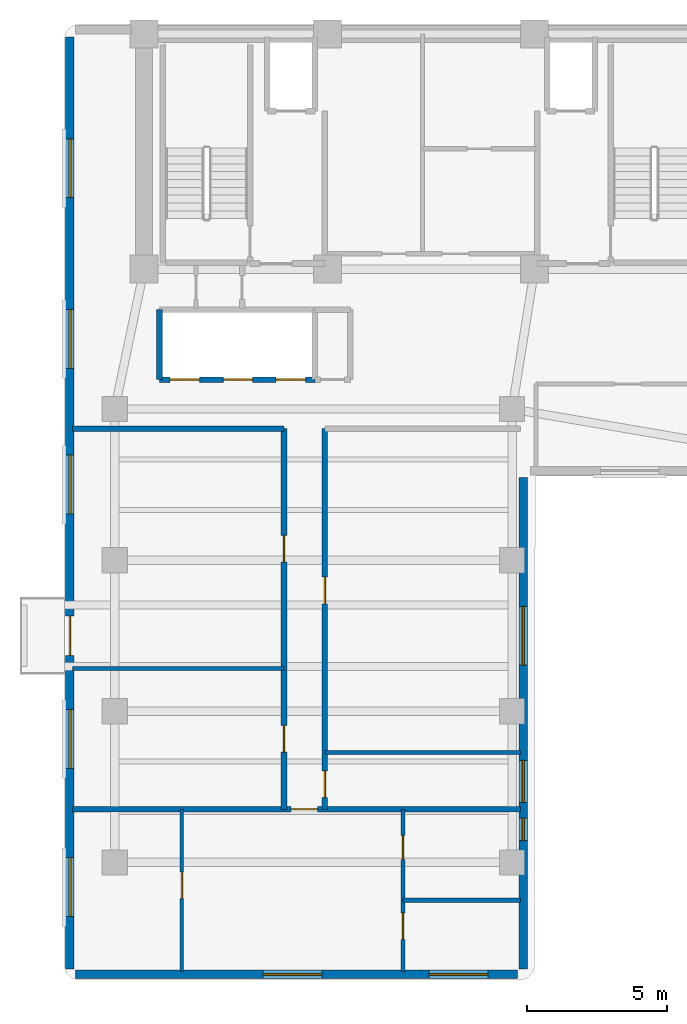
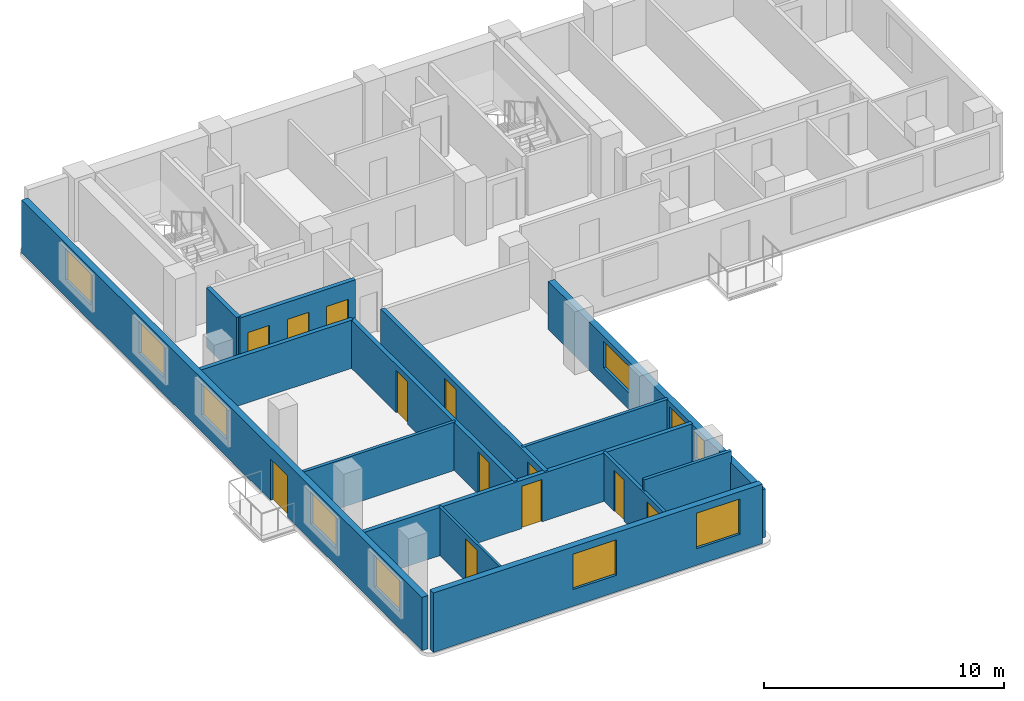
# One storey, part 2 of 7: 14 walls, 12 doors, 10 windows, 22 openings.
"""IFC4 building model written with IfcOpenShell, lengths in metres."""

from ifc_helpers import new_model, si_unit, direction, frame, frame_2d, origin, place, context, subcontext, project, spatial, rectangle, extrude, material, layer, layer_set, type_object, element, fill, save


model = new_model("IFC4")

# Units and contexts
model_context = context("Model", 3, precision=1e-05, world=origin(), true_north=direction((0.0, 1.0)))
body_context = subcontext(model_context, "Body", "Model", "MODEL_VIEW")
ifc_project = project(units=[si_unit("LENGTHUNIT", "METRE"), si_unit("AREAUNIT", "SQUARE_METRE"), si_unit("VOLUMEUNIT", "CUBIC_METRE"), si_unit("PLANEANGLEUNIT", "RADIAN"), si_unit("MASSUNIT", "GRAM", prefix="KILO")], contexts=[model_context])

# Site, building, storey
site_placement = place(None, origin())
site = spatial("IfcSite", under=ifc_project, at=site_placement, CompositionType="ELEMENT")
building_placement = place(site_placement, origin())
building = spatial("IfcBuilding", under=site, at=building_placement, Name="Kuzgunbayir Cultural Tower", CompositionType="ELEMENT")
storey_placement = place(building_placement, frame((0.0, 0.0, 172.800048828125)))
storey = spatial("IfcBuildingStorey", under=building, at=storey_placement, Name="L50", CompositionType="ELEMENT", Elevation=172.800048828125)

# Wall, openings, windows
ifc_material_1 = material(Name="Anatolian Cream Limestone", Category="masonry")
ifc_layer_1 = layer(ifc_material_1, 0.300048828125)
ifc_layer_set_1 = layer_set([ifc_layer_1], Name="Anatolian Cream Limestone")
wall_type_1 = type_object("IfcWallType", Name="WAL-EXT-STONE-300", PredefinedType="STANDARD", material=ifc_layer_set_1)
wall_1_placement = place(storey_placement, frame((4.0, 8.60009765625, 0.0), z_axis=(0.0, 0.0, 1.0), x_axis=(1.0, 0.0, 0.0)))
wall_1 = element("IfcWall", 1, at=wall_1_placement, inside=storey, type_object=wall_type_1, Name="L50 Wing A South Limestone Wall", PredefinedType="STANDARD", context=body_context, shape_type="SweptSolid", body=[
    extrude(rectangle(XDim=15.800048828125, YDim=0.300048828125, at=frame_2d((7.89990234375, 0.0))), origin(), (0.0, 0.0, 1.0), 3.02001953125),
])
opening_1_placement = place(wall_1_placement, frame((6.699951171875, 0.0, 0.85009765625)))
opening_1 = element("IfcOpeningElement", 2, at=opening_1_placement, cuts=wall_1, Name="Opening WR-21", PredefinedType="OPENING", context=body_context, shape_type="SweptSolid", body=[
    extrude(rectangle(XDim=2.10009765625, YDim=1.800048828125, at=frame_2d((1.050048828125, 0.89990234375))), frame((0.0, 0.16015625, 0.0), z_axis=(0.0, -1.0, 0.0), x_axis=(1.0, 0.0, 0.0)), (0.0, 0.0, 1.0), 0.320068359375),
])
opening_2_placement = place(wall_1_placement, frame((12.6298828125, 0.0, 0.85009765625)))
opening_2 = element("IfcOpeningElement", 3, at=opening_2_placement, cuts=wall_1, Name="Opening WR-21", PredefinedType="OPENING", context=body_context, shape_type="SweptSolid", body=[
    extrude(rectangle(XDim=2.10009765625, YDim=1.800048828125, at=frame_2d((1.050048828125, 0.89990234375))), frame((0.0, 0.16015625, 0.0), z_axis=(0.0, -1.0, 0.0), x_axis=(1.0, 0.0, 0.0)), (0.0, 0.0, 1.0), 0.320068359375),
])
ifc_material_2 = material(Name="Solar-Control Triple Glazing", Category="glass")
window_type_1 = type_object("IfcWindowType", Name="WIN-RESID-21", PartitioningType="SINGLE_PANEL", PredefinedType="WINDOW", material=ifc_material_2)
window_1_placement = place(opening_1_placement, origin())
window_1 = element("IfcWindow", 4, at=window_1_placement, inside=storey, type_object=window_type_1, Name="L50 WAS Facade Window 3", OverallHeight=1.800048828125, OverallWidth=2.10009765625, PartitioningType="SINGLE_PANEL", PredefinedType="WINDOW", context=body_context, shape_type="SweptSolid", body=[
    extrude(rectangle(XDim=2.10009765625, YDim=1.800048828125, at=frame_2d((1.050048828125, 0.89990234375))), frame((0.0, 0.030029296875, 0.0), z_axis=(0.0, -1.0, 0.0), x_axis=(1.0, 0.0, 0.0)), (0.0, 0.0, 1.0), 0.06005859375),
])
fill(opening_1, window_1)
window_2_placement = place(opening_2_placement, origin())
window_2 = element("IfcWindow", 5, at=window_2_placement, inside=storey, type_object=window_type_1, Name="L50 WAS Facade Window 4", OverallHeight=1.800048828125, OverallWidth=2.10009765625, PartitioningType="SINGLE_PANEL", PredefinedType="WINDOW", context=body_context, shape_type="SweptSolid", body=[
    extrude(rectangle(XDim=2.10009765625, YDim=1.800048828125, at=frame_2d((1.050048828125, 0.89990234375))), frame((0.0, 0.030029296875, 0.0), z_axis=(0.0, -1.0, 0.0), x_axis=(1.0, 0.0, 0.0)), (0.0, 0.0, 1.0), 0.06005859375),
])
fill(opening_2, window_2)

# Wall, openings, door, windows
wall_2_placement = place(storey_placement, frame((3.800048828125, 42.10009765625, 0.0), z_axis=(0.0, 0.0, 1.0), x_axis=(0.0, -1.0, 0.0)))
wall_2 = element("IfcWall", 6, at=wall_2_placement, inside=storey, type_object=wall_type_1, Name="L50 Wing A West Limestone Wall", PredefinedType="STANDARD", context=body_context, shape_type="SweptSolid", body=[
    extrude(rectangle(XDim=33.300048828125, YDim=0.300048828125, at=frame_2d((16.64990234375, 0.0))), origin(), (0.0, 0.0, 1.0), 2.7099609375),
])
opening_3_placement = place(wall_2_placement, frame((20.699951171875, 0.0, 0.0)))
opening_3 = element("IfcOpeningElement", 7, at=opening_3_placement, cuts=wall_2, Name="Opening BD-15", PredefinedType="OPENING", context=body_context, shape_type="SweptSolid", body=[
    extrude(rectangle(XDim=1.39990234375, YDim=2.10009765625, at=frame_2d((0.699951171875, 1.050048828125))), frame((0.0, 0.16015625, 0.0), z_axis=(0.0, -1.0, 0.0), x_axis=(1.0, 0.0, 0.0)), (0.0, 0.0, 1.0), 0.320068359375),
])
opening_4_placement = place(wall_2_placement, frame((29.330078125, 0.0, 0.85009765625)))
opening_4 = element("IfcOpeningElement", 8, at=opening_4_placement, cuts=wall_2, Name="Opening WR-21", PredefinedType="OPENING", context=body_context, shape_type="SweptSolid", body=[
    extrude(rectangle(XDim=2.10009765625, YDim=1.610107421875, at=frame_2d((1.050048828125, 0.80517578125))), frame((0.0, 0.16015625, 0.0), z_axis=(0.0, -1.0, 0.0), x_axis=(1.0, 0.0, 0.0)), (0.0, 0.0, 1.0), 0.320068359375),
])
opening_5_placement = place(wall_2_placement, frame((24.0400390625, 0.0, 0.85009765625)))
opening_5 = element("IfcOpeningElement", 9, at=opening_5_placement, cuts=wall_2, Name="Opening WR-21", PredefinedType="OPENING", context=body_context, shape_type="SweptSolid", body=[
    extrude(rectangle(XDim=2.10009765625, YDim=1.610107421875, at=frame_2d((1.050048828125, 0.80517578125))), frame((0.0, 0.16015625, 0.0), z_axis=(0.0, -1.0, 0.0), x_axis=(1.0, 0.0, 0.0)), (0.0, 0.0, 1.0), 0.320068359375),
])
opening_6_placement = place(wall_2_placement, frame((14.949951171875, 0.0, 0.85009765625)))
opening_6 = element("IfcOpeningElement", 10, at=opening_6_placement, cuts=wall_2, Name="Opening WR-21", PredefinedType="OPENING", context=body_context, shape_type="SweptSolid", body=[
    extrude(rectangle(XDim=2.10009765625, YDim=1.610107421875, at=frame_2d((1.050048828125, 0.80517578125))), frame((0.0, 0.16015625, 0.0), z_axis=(0.0, -1.0, 0.0), x_axis=(1.0, 0.0, 0.0)), (0.0, 0.0, 1.0), 0.320068359375),
])
opening_7_placement = place(wall_2_placement, frame((9.75, 0.0, 0.85009765625)))
opening_7 = element("IfcOpeningElement", 11, at=opening_7_placement, cuts=wall_2, Name="Opening WR-21", PredefinedType="OPENING", context=body_context, shape_type="SweptSolid", body=[
    extrude(rectangle(XDim=2.10009765625, YDim=1.610107421875, at=frame_2d((1.050048828125, 0.80517578125))), frame((0.0, 0.16015625, 0.0), z_axis=(0.0, -1.0, 0.0), x_axis=(1.0, 0.0, 0.0)), (0.0, 0.0, 1.0), 0.320068359375),
])
opening_8_placement = place(wall_2_placement, frame((3.64990234375, 0.0, 0.85009765625)))
opening_8 = element("IfcOpeningElement", 12, at=opening_8_placement, cuts=wall_2, Name="Opening WR-21", PredefinedType="OPENING", context=body_context, shape_type="SweptSolid", body=[
    extrude(rectangle(XDim=2.10009765625, YDim=1.610107421875, at=frame_2d((1.050048828125, 0.80517578125))), frame((0.0, 0.16015625, 0.0), z_axis=(0.0, -1.0, 0.0), x_axis=(1.0, 0.0, 0.0)), (0.0, 0.0, 1.0), 0.320068359375),
])
ifc_material_3 = material(Name="Thermally Broken Glazed Aluminium", Category="aluminium")
door_type_1 = type_object("IfcDoorType", Name="DR-BALCONY-150", OperationType="SLIDING_TO_RIGHT", PredefinedType="DOOR", material=ifc_material_3)
door_1_placement = place(opening_3_placement, origin())
door_1 = element("IfcDoor", 13, at=door_1_placement, inside=storey, type_object=door_type_1, Name="L50 West Balcony Sliding Door BAL-L50-WA2", OperationType="SLIDING_TO_RIGHT", OverallHeight=2.10009765625, OverallWidth=1.39990234375, PredefinedType="DOOR", context=body_context, shape_type="SweptSolid", body=[
    extrude(rectangle(XDim=1.39990234375, YDim=2.10009765625, at=frame_2d((0.699951171875, 1.050048828125))), frame((0.0, 0.02490234375, 0.0), z_axis=(0.0, -1.0, 0.0), x_axis=(1.0, 0.0, 0.0)), (0.0, 0.0, 1.0), 0.050048828125),
])
fill(opening_3, door_1)
window_3_placement = place(opening_4_placement, origin())
window_3 = element("IfcWindow", 14, at=window_3_placement, inside=storey, type_object=window_type_1, Name="L50 WAW Facade Window 2", OverallHeight=1.610107421875, OverallWidth=2.10009765625, PartitioningType="SINGLE_PANEL", PredefinedType="WINDOW", context=body_context, shape_type="SweptSolid", body=[
    extrude(rectangle(XDim=2.10009765625, YDim=1.610107421875, at=frame_2d((1.050048828125, 0.80517578125))), frame((0.0, 0.030029296875, 0.0), z_axis=(0.0, -1.0, 0.0), x_axis=(1.0, 0.0, 0.0)), (0.0, 0.0, 1.0), 0.06005859375),
])
fill(opening_4, window_3)
window_4_placement = place(opening_5_placement, origin())
window_4 = element("IfcWindow", 15, at=window_4_placement, inside=storey, type_object=window_type_1, Name="L50 WAW Facade Window 6", OverallHeight=1.610107421875, OverallWidth=2.10009765625, PartitioningType="SINGLE_PANEL", PredefinedType="WINDOW", context=body_context, shape_type="SweptSolid", body=[
    extrude(rectangle(XDim=2.10009765625, YDim=1.610107421875, at=frame_2d((1.050048828125, 0.80517578125))), frame((0.0, 0.030029296875, 0.0), z_axis=(0.0, -1.0, 0.0), x_axis=(1.0, 0.0, 0.0)), (0.0, 0.0, 1.0), 0.06005859375),
])
fill(opening_5, window_4)
window_5_placement = place(opening_6_placement, origin())
window_5 = element("IfcWindow", 16, at=window_5_placement, inside=storey, type_object=window_type_1, Name="L50 WAW Facade Window 13", OverallHeight=1.610107421875, OverallWidth=2.10009765625, PartitioningType="SINGLE_PANEL", PredefinedType="WINDOW", context=body_context, shape_type="SweptSolid", body=[
    extrude(rectangle(XDim=2.10009765625, YDim=1.610107421875, at=frame_2d((1.050048828125, 0.80517578125))), frame((0.0, 0.030029296875, 0.0), z_axis=(0.0, -1.0, 0.0), x_axis=(1.0, 0.0, 0.0)), (0.0, 0.0, 1.0), 0.06005859375),
])
fill(opening_6, window_5)
window_6_placement = place(opening_7_placement, origin())
window_6 = element("IfcWindow", 17, at=window_6_placement, inside=storey, type_object=window_type_1, Name="L50 WAW Facade Window 14", OverallHeight=1.610107421875, OverallWidth=2.10009765625, PartitioningType="SINGLE_PANEL", PredefinedType="WINDOW", context=body_context, shape_type="SweptSolid", body=[
    extrude(rectangle(XDim=2.10009765625, YDim=1.610107421875, at=frame_2d((1.050048828125, 0.80517578125))), frame((0.0, 0.030029296875, 0.0), z_axis=(0.0, -1.0, 0.0), x_axis=(1.0, 0.0, 0.0)), (0.0, 0.0, 1.0), 0.06005859375),
])
fill(opening_7, window_6)
window_7_placement = place(opening_8_placement, origin())
window_7 = element("IfcWindow", 18, at=window_7_placement, inside=storey, type_object=window_type_1, Name="L50 WAW Facade Window 15", OverallHeight=1.610107421875, OverallWidth=2.10009765625, PartitioningType="SINGLE_PANEL", PredefinedType="WINDOW", context=body_context, shape_type="SweptSolid", body=[
    extrude(rectangle(XDim=2.10009765625, YDim=1.610107421875, at=frame_2d((1.050048828125, 0.80517578125))), frame((0.0, 0.030029296875, 0.0), z_axis=(0.0, -1.0, 0.0), x_axis=(1.0, 0.0, 0.0)), (0.0, 0.0, 1.0), 0.06005859375),
])
fill(opening_8, window_7)

# Wall, openings, windows
wall_3_placement = place(storey_placement, frame((20.0, 8.800048828125, 0.0), z_axis=(0.0, 0.0, 1.0), x_axis=(0.0, 1.0, 0.0)))
wall_3 = element("IfcWall", 19, at=wall_3_placement, inside=storey, type_object=wall_type_1, Name="L50 Wing A East Limestone Wall", PredefinedType="STANDARD", context=body_context, shape_type="SweptSolid", body=[
    extrude(rectangle(XDim=17.550048828125, YDim=0.300048828125, at=frame_2d((8.77490234375, 0.0))), origin(), (0.0, 0.0, 1.0), 2.449951171875),
])
opening_9_placement = place(wall_3_placement, frame((4.580078125, 0.0, 0.85009765625)))
opening_9 = element("IfcOpeningElement", 20, at=opening_9_placement, cuts=wall_3, Name="Opening WN-08", PredefinedType="OPENING", context=body_context, shape_type="SweptSolid", body=[
    extrude(rectangle(XDim=0.800048828125, YDim=1.35009765625, at=frame_2d((0.39990234375, 0.675048828125))), frame((0.0, 0.16015625, 0.0), z_axis=(0.0, -1.0, 0.0), x_axis=(1.0, 0.0, 0.0)), (0.0, 0.0, 1.0), 0.320068359375),
])
opening_10_placement = place(wall_3_placement, frame((5.949951171875, 0.0, 0.85009765625)))
opening_10 = element("IfcOpeningElement", 21, at=opening_10_placement, cuts=wall_3, Name="Opening WR-15", PredefinedType="OPENING", context=body_context, shape_type="SweptSolid", body=[
    extrude(rectangle(XDim=1.5, YDim=1.35009765625, at=frame_2d((0.75, 0.675048828125))), frame((0.0, 0.16015625, 0.0), z_axis=(0.0, -1.0, 0.0), x_axis=(1.0, 0.0, 0.0)), (0.0, 0.0, 1.0), 0.320068359375),
])
opening_11_placement = place(wall_3_placement, frame((10.85009765625, 0.0, 0.85009765625)))
opening_11 = element("IfcOpeningElement", 22, at=opening_11_placement, cuts=wall_3, Name="Opening WR-21", PredefinedType="OPENING", context=body_context, shape_type="SweptSolid", body=[
    extrude(rectangle(XDim=2.10009765625, YDim=1.35009765625, at=frame_2d((1.050048828125, 0.675048828125))), frame((0.0, 0.16015625, 0.0), z_axis=(0.0, -1.0, 0.0), x_axis=(1.0, 0.0, 0.0)), (0.0, 0.0, 1.0), 0.320068359375),
])
window_type_2 = type_object("IfcWindowType", Name="WIN-NARROW-80", PartitioningType="SINGLE_PANEL", PredefinedType="WINDOW", material=ifc_material_2)
window_8_placement = place(opening_9_placement, origin())
window_8 = element("IfcWindow", 23, at=window_8_placement, inside=storey, type_object=window_type_2, Name="L50 WAE Facade Window 5", OverallHeight=1.35009765625, OverallWidth=0.800048828125, PartitioningType="SINGLE_PANEL", PredefinedType="WINDOW", context=body_context, shape_type="SweptSolid", body=[
    extrude(rectangle(XDim=0.800048828125, YDim=1.35009765625, at=frame_2d((0.39990234375, 0.675048828125))), frame((0.0, 0.030029296875, 0.0), z_axis=(0.0, -1.0, 0.0), x_axis=(1.0, 0.0, 0.0)), (0.0, 0.0, 1.0), 0.06005859375),
])
fill(opening_9, window_8)
window_type_3 = type_object("IfcWindowType", Name="WIN-RESID-15", PartitioningType="SINGLE_PANEL", PredefinedType="WINDOW", material=ifc_material_2)
window_9_placement = place(opening_10_placement, origin())
window_9 = element("IfcWindow", 24, at=window_9_placement, inside=storey, type_object=window_type_3, Name="L50 WAE Facade Window 16", OverallHeight=1.35009765625, OverallWidth=1.5, PartitioningType="SINGLE_PANEL", PredefinedType="WINDOW", context=body_context, shape_type="SweptSolid", body=[
    extrude(rectangle(XDim=1.5, YDim=1.35009765625, at=frame_2d((0.75, 0.675048828125))), frame((0.0, 0.030029296875, 0.0), z_axis=(0.0, -1.0, 0.0), x_axis=(1.0, 0.0, 0.0)), (0.0, 0.0, 1.0), 0.06005859375),
])
fill(opening_10, window_9)
window_10_placement = place(opening_11_placement, origin())
window_10 = element("IfcWindow", 25, at=window_10_placement, inside=storey, type_object=window_type_1, Name="L50 WAE Facade Window 17", OverallHeight=1.35009765625, OverallWidth=2.10009765625, PartitioningType="SINGLE_PANEL", PredefinedType="WINDOW", context=body_context, shape_type="SweptSolid", body=[
    extrude(rectangle(XDim=2.10009765625, YDim=1.35009765625, at=frame_2d((1.050048828125, 0.675048828125))), frame((0.0, 0.030029296875, 0.0), z_axis=(0.0, -1.0, 0.0), x_axis=(1.0, 0.0, 0.0)), (0.0, 0.0, 1.0), 0.06005859375),
])
fill(opening_11, window_10)

# Wall
ifc_material_4 = material(Name="Acoustic Double-Stud Drywall", Category="gypsum")
ifc_layer_2 = layer(ifc_material_4, 0.14990234375)
ifc_layer_set_2 = layer_set([ifc_layer_2], Name="Acoustic Double-Stud Drywall")
wall_type_2 = type_object("IfcWallType", Name="WAL-PART-ACOUSTIC-150", PredefinedType="PARTITIONING", material=ifc_layer_set_2)
wall_4_placement = place(storey_placement, frame((3.89990234375, 19.530029296875, 0.0), z_axis=(0.0, 0.0, 1.0), x_axis=(1.0, 0.0, 0.0)))
element("IfcWall", 26, at=wall_4_placement, inside=storey, type_object=wall_type_2, Name="L50 West Study Partition 1", PredefinedType="PARTITIONING", context=body_context, shape_type="SweptSolid", body=[
    extrude(rectangle(XDim=7.550048828125, YDim=0.14990234375, at=frame_2d((3.77490234375, 0.0))), origin(), (0.0, 0.0, 1.0), 2.449951171875),
])

# Wall, openings, doors
ifc_material_5 = material(Name="Aerated Concrete Blockwork", Category="masonry")
ifc_layer_3 = layer(ifc_material_5, 0.199951171875)
ifc_layer_set_3 = layer_set([ifc_layer_3], Name="Aerated Concrete Blockwork")
wall_type_3 = type_object("IfcWallType", Name="WAL-PART-FIRE-200", PredefinedType="PARTITIONING", material=ifc_layer_set_3)
wall_5_placement = place(storey_placement, frame((11.449951171875, 14.5, 0.0), z_axis=(0.0, 0.0, 1.0), x_axis=(0.0, 1.0, 0.0)))
wall_5 = element("IfcWall", 27, at=wall_5_placement, inside=storey, type_object=wall_type_3, Name="L50 Wing A West Corridor Wall", PredefinedType="PARTITIONING", context=body_context, shape_type="SweptSolid", body=[
    extrude(rectangle(XDim=13.60009765625, YDim=0.199951171875, at=frame_2d((6.800048828125, 0.0))), origin(), (0.0, 0.0, 1.0), 2.449951171875),
])
opening_12_placement = place(wall_5_placement, frame((2.0400390625, 0.0, 0.0)))
opening_12 = element("IfcOpeningElement", 28, at=opening_12_placement, cuts=wall_5, Name="Opening DI-90", PredefinedType="OPENING", context=body_context, shape_type="SweptSolid", body=[
    extrude(rectangle(XDim=0.949951171875, YDim=2.14990234375, at=frame_2d((0.47509765625, 1.074951171875))), frame((0.0, 0.10986328125, 0.0), z_axis=(0.0, -1.0, 0.0), x_axis=(1.0, 0.0, 0.0)), (0.0, 0.0, 1.0), 0.219970703125),
])
opening_13_placement = place(wall_5_placement, frame((8.840087890625, 0.0, 0.0)))
opening_13 = element("IfcOpeningElement", 29, at=opening_13_placement, cuts=wall_5, Name="Opening DI-90", PredefinedType="OPENING", context=body_context, shape_type="SweptSolid", body=[
    extrude(rectangle(XDim=0.949951171875, YDim=2.14990234375, at=frame_2d((0.47509765625, 1.074951171875))), frame((0.0, 0.10986328125, 0.0), z_axis=(0.0, -1.0, 0.0), x_axis=(1.0, 0.0, 0.0)), (0.0, 0.0, 1.0), 0.219970703125),
])
ifc_material_6 = material(Name="Veneered Oak Single Leaf", Category="wood")
door_type_2 = type_object("IfcDoorType", Name="DR-INT-90", OperationType="NOTDEFINED", PredefinedType="DOOR", material=ifc_material_6)
door_2_placement = place(opening_12_placement, origin())
door_2 = element("IfcDoor", 30, at=door_2_placement, inside=storey, type_object=door_type_2, Name="L50 Wellness Consultation Studio W1 Door", OperationType="SINGLE_SWING_LEFT", OverallHeight=2.14990234375, OverallWidth=0.949951171875, PredefinedType="DOOR", context=body_context, shape_type="SweptSolid", body=[
    extrude(rectangle(XDim=0.949951171875, YDim=2.14990234375, at=frame_2d((0.47509765625, 1.074951171875))), frame((0.0, 0.02490234375, 0.0), z_axis=(0.0, -1.0, 0.0), x_axis=(1.0, 0.0, 0.0)), (0.0, 0.0, 1.0), 0.050048828125),
])
fill(opening_12, door_2)
door_3_placement = place(opening_13_placement, origin())
door_3 = element("IfcDoor", 31, at=door_3_placement, inside=storey, type_object=door_type_2, Name="L50 Culinary Tasting Pantry W2 Door", OperationType="SINGLE_SWING_RIGHT", OverallHeight=2.14990234375, OverallWidth=0.949951171875, PredefinedType="DOOR", context=body_context, shape_type="SweptSolid", body=[
    extrude(rectangle(XDim=0.949951171875, YDim=2.14990234375, at=frame_2d((0.47509765625, 1.074951171875))), frame((0.0, 0.02490234375, 0.0), z_axis=(0.0, -1.0, 0.0), x_axis=(1.0, 0.0, 0.0)), (0.0, 0.0, 1.0), 0.050048828125),
])
fill(opening_13, door_3)

wall_6_placement = place(storey_placement, frame((12.909912109375, 14.5, 0.0), z_axis=(0.0, 0.0, 1.0), x_axis=(0.0, 1.0, 0.0)))
wall_6 = element("IfcWall", 32, at=wall_6_placement, inside=storey, type_object=wall_type_3, Name="L50 Wing A East Corridor Wall", PredefinedType="PARTITIONING", context=body_context, shape_type="SweptSolid", body=[
    extrude(rectangle(XDim=13.60009765625, YDim=0.199951171875, at=frame_2d((6.800048828125, 0.0))), origin(), (0.0, 0.0, 1.0), 2.449951171875),
])
opening_14_placement = place(wall_6_placement, frame((0.419921875, 0.0, 0.0)))
opening_14 = element("IfcOpeningElement", 33, at=opening_14_placement, cuts=wall_6, Name="Opening DW-95", PredefinedType="OPENING", context=body_context, shape_type="SweptSolid", body=[
    extrude(rectangle(XDim=0.949951171875, YDim=2.10009765625, at=frame_2d((0.47509765625, 1.050048828125))), frame((0.0, 0.10986328125, 0.0), z_axis=(0.0, -1.0, 0.0), x_axis=(1.0, 0.0, 0.0)), (0.0, 0.0, 1.0), 0.219970703125),
])
opening_15_placement = place(wall_6_placement, frame((7.340087890625, 0.0, 0.0)))
opening_15 = element("IfcOpeningElement", 34, at=opening_15_placement, cuts=wall_6, Name="Opening DI-90", PredefinedType="OPENING", context=body_context, shape_type="SweptSolid", body=[
    extrude(rectangle(XDim=0.949951171875, YDim=2.14990234375, at=frame_2d((0.47509765625, 1.074951171875))), frame((0.0, 0.10986328125, 0.0), z_axis=(0.0, -1.0, 0.0), x_axis=(1.0, 0.0, 0.0)), (0.0, 0.0, 1.0), 0.219970703125),
])
door_4_placement = place(opening_15_placement, origin())
door_4 = element("IfcDoor", 35, at=door_4_placement, inside=storey, type_object=door_type_2, Name="L50 East Wellness Consultation Studio E1 Door", OperationType="SINGLE_SWING_RIGHT", OverallHeight=2.14990234375, OverallWidth=0.949951171875, PredefinedType="DOOR", context=body_context, shape_type="SweptSolid", body=[
    extrude(rectangle(XDim=0.949951171875, YDim=2.14990234375, at=frame_2d((0.47509765625, 1.074951171875))), frame((0.0, 0.02490234375, 0.0), z_axis=(0.0, -1.0, 0.0), x_axis=(1.0, 0.0, 0.0)), (0.0, 0.0, 1.0), 0.050048828125),
])
fill(opening_15, door_4)
ifc_material_7 = material(Name="Laminate Moisture-Resistant Leaf", Category="wood")
door_type_3 = type_object("IfcDoorType", Name="DR-WET-95", OperationType="NOTDEFINED", PredefinedType="DOOR", material=ifc_material_7)
door_5_placement = place(opening_14_placement, origin())
door_5 = element("IfcDoor", 36, at=door_5_placement, inside=storey, type_object=door_type_3, Name="L50 Visitor Accessible WC Door", OperationType="SINGLE_SWING_LEFT", OverallHeight=2.10009765625, OverallWidth=0.949951171875, PredefinedType="DOOR", context=body_context, shape_type="SweptSolid", body=[
    extrude(rectangle(XDim=0.949951171875, YDim=2.10009765625, at=frame_2d((0.47509765625, 1.050048828125))), frame((0.0, 0.02490234375, 0.0), z_axis=(0.0, -1.0, 0.0), x_axis=(1.0, 0.0, 0.0)), (0.0, 0.0, 1.0), 0.050048828125),
])
fill(opening_14, door_5)

# Wall, opening, door
wall_7_placement = place(storey_placement, frame((3.89990234375, 14.5, 0.0), z_axis=(0.0, 0.0, 1.0), x_axis=(1.0, 0.0, 0.0)))
wall_7 = element("IfcWall", 37, at=wall_7_placement, inside=storey, type_object=wall_type_3, Name="L50 South Cross Partition", PredefinedType="PARTITIONING", context=body_context, shape_type="SweptSolid", body=[
    extrude(rectangle(XDim=16.0, YDim=0.199951171875, at=frame_2d((8.0, 0.0))), origin(), (0.0, 0.0, 1.0), 2.449951171875),
])
opening_16_placement = place(wall_7_placement, frame((7.800048828125, 0.0, 0.0)))
opening_16 = element("IfcOpeningElement", 38, at=opening_16_placement, cuts=wall_7, Name="Opening DR-APT-60", PredefinedType="OPENING", context=body_context, shape_type="SweptSolid", body=[
    extrude(rectangle(XDim=0.949951171875, YDim=2.14990234375, at=frame_2d((0.47509765625, 1.074951171875))), frame((0.0, 0.10986328125, 0.0), z_axis=(0.0, -1.0, 0.0), x_axis=(1.0, 0.0, 0.0)), (0.0, 0.0, 1.0), 0.219970703125),
])
ifc_material_8 = material(Name="Acoustic Fire Timber Leaf", Category="wood")
door_type_4 = type_object("IfcDoorType", Name="DR-APT-60", OperationType="NOTDEFINED", PredefinedType="DOOR", material=ifc_material_8)
door_6_placement = place(opening_16_placement, origin())
door_6 = element("IfcDoor", 39, at=door_6_placement, inside=storey, type_object=door_type_4, Name="L50 Apartment A Entrance", OperationType="SINGLE_SWING_LEFT", OverallHeight=2.14990234375, OverallWidth=0.949951171875, PredefinedType="DOOR", context=body_context, shape_type="SweptSolid", body=[
    extrude(rectangle(XDim=0.949951171875, YDim=2.14990234375, at=frame_2d((0.47509765625, 1.074951171875))), frame((0.0, 0.02490234375, 0.0), z_axis=(0.0, -1.0, 0.0), x_axis=(1.0, 0.0, 0.0)), (0.0, 0.0, 1.0), 0.050048828125),
])
fill(opening_16, door_6)

# Wall
wall_8_placement = place(storey_placement, frame((3.89990234375, 28.10009765625, 0.0), z_axis=(0.0, 0.0, 1.0), x_axis=(1.0, 0.0, 0.0)))
element("IfcWall", 40, at=wall_8_placement, inside=storey, type_object=wall_type_3, Name="L50 North West Partition", PredefinedType="PARTITIONING", context=body_context, shape_type="SweptSolid", body=[
    extrude(rectangle(XDim=7.550048828125, YDim=0.199951171875, at=frame_2d((3.77490234375, 0.0))), origin(), (0.0, 0.0, 1.0), 2.449951171875),
])

# Wall, opening, door
ifc_material_9 = material(Name="Framed Gypsum Partition", Category="gypsum")
ifc_layer_4 = layer(ifc_material_9, 0.1201171875)
ifc_layer_set_4 = layer_set([ifc_layer_4], Name="Framed Gypsum Partition")
wall_type_4 = type_object("IfcWallType", Name="WAL-PART-INT-120", PredefinedType="PARTITIONING", material=ifc_layer_set_4)
wall_9_placement = place(storey_placement, frame((7.800048828125, 8.699951171875, 0.0), z_axis=(0.0, 0.0, 1.0), x_axis=(0.0, 1.0, 0.0)))
wall_9 = element("IfcWall", 41, at=wall_9_placement, inside=storey, type_object=wall_type_4, Name="L50 Flat A West Bedroom Wall", PredefinedType="PARTITIONING", context=body_context, shape_type="SweptSolid", body=[
    extrude(rectangle(XDim=5.800048828125, YDim=0.1201171875, at=frame_2d((2.89990234375, 0.0))), origin(), (0.0, 0.0, 1.0), 2.449951171875),
])
opening_17_placement = place(wall_9_placement, frame((2.610107421875, 0.0, 0.0)))
opening_17 = element("IfcOpeningElement", 42, at=opening_17_placement, cuts=wall_9, Name="Opening DI-90", PredefinedType="OPENING", context=body_context, shape_type="SweptSolid", body=[
    extrude(rectangle(XDim=0.949951171875, YDim=2.14990234375, at=frame_2d((0.47509765625, 1.074951171875))), frame((0.0, 0.070068359375, 0.0), z_axis=(0.0, -1.0, 0.0), x_axis=(1.0, 0.0, 0.0)), (0.0, 0.0, 1.0), 0.14013671875),
])
door_7_placement = place(opening_17_placement, origin())
door_7 = element("IfcDoor", 43, at=door_7_placement, inside=storey, type_object=door_type_2, Name="L50 Apartment A Bedroom Door", OperationType="SINGLE_SWING_RIGHT", OverallHeight=2.14990234375, OverallWidth=0.949951171875, PredefinedType="DOOR", context=body_context, shape_type="SweptSolid", body=[
    extrude(rectangle(XDim=0.949951171875, YDim=2.14990234375, at=frame_2d((0.47509765625, 1.074951171875))), frame((0.0, 0.02490234375, 0.0), z_axis=(0.0, -1.0, 0.0), x_axis=(1.0, 0.0, 0.0)), (0.0, 0.0, 1.0), 0.050048828125),
])
fill(opening_17, door_7)

# Wall, openings, doors
ifc_material_10 = material(Name="Moisture-Resistant Tile Partition", Category="gypsum")
ifc_layer_5 = layer(ifc_material_10, 0.14990234375)
ifc_layer_set_5 = layer_set([ifc_layer_5], Name="Moisture-Resistant Tile Partition")
wall_type_5 = type_object("IfcWallType", Name="WAL-PART-WET-150", PredefinedType="PARTITIONING", material=ifc_layer_set_5)
wall_10_placement = place(storey_placement, frame((15.699951171875, 8.699951171875, 0.0), z_axis=(0.0, 0.0, 1.0), x_axis=(0.0, 1.0, 0.0)))
wall_10 = element("IfcWall", 44, at=wall_10_placement, inside=storey, type_object=wall_type_5, Name="L50 Flat A East Service Wall", PredefinedType="PARTITIONING", context=body_context, shape_type="SweptSolid", body=[
    extrude(rectangle(XDim=5.800048828125, YDim=0.14990234375, at=frame_2d((2.89990234375, 0.0))), origin(), (0.0, 0.0, 1.0), 2.449951171875),
])
opening_18_placement = place(wall_10_placement, frame((1.14990234375, 0.0, 0.0)))
opening_18 = element("IfcOpeningElement", 45, at=opening_18_placement, cuts=wall_10, Name="Opening DI-90", PredefinedType="OPENING", context=body_context, shape_type="SweptSolid", body=[
    extrude(rectangle(XDim=0.949951171875, YDim=2.14990234375, at=frame_2d((0.47509765625, 1.074951171875))), frame((0.0, 0.0849609375, 0.0), z_axis=(0.0, -1.0, 0.0), x_axis=(1.0, 0.0, 0.0)), (0.0, 0.0, 1.0), 0.169921875),
])
opening_19_placement = place(wall_10_placement, frame((4.010009765625, 0.0, 0.0)))
opening_19 = element("IfcOpeningElement", 46, at=opening_19_placement, cuts=wall_10, Name="Opening DW-85", PredefinedType="OPENING", context=body_context, shape_type="SweptSolid", body=[
    extrude(rectangle(XDim=0.85009765625, YDim=2.10009765625, at=frame_2d((0.425048828125, 1.050048828125))), frame((0.0, 0.0849609375, 0.0), z_axis=(0.0, -1.0, 0.0), x_axis=(1.0, 0.0, 0.0)), (0.0, 0.0, 1.0), 0.169921875),
])
door_8_placement = place(opening_18_placement, origin())
door_8 = element("IfcDoor", 47, at=door_8_placement, inside=storey, type_object=door_type_2, Name="L50 Apartment A Kitchen Door", OperationType="SINGLE_SWING_LEFT", OverallHeight=2.14990234375, OverallWidth=0.949951171875, PredefinedType="DOOR", context=body_context, shape_type="SweptSolid", body=[
    extrude(rectangle(XDim=0.949951171875, YDim=2.14990234375, at=frame_2d((0.47509765625, 1.074951171875))), frame((0.0, 0.02490234375, 0.0), z_axis=(0.0, -1.0, 0.0), x_axis=(1.0, 0.0, 0.0)), (0.0, 0.0, 1.0), 0.050048828125),
])
fill(opening_18, door_8)
door_type_5 = type_object("IfcDoorType", Name="DR-WET-85", OperationType="NOTDEFINED", PredefinedType="DOOR", material=ifc_material_7)
door_9_placement = place(opening_19_placement, origin())
door_9 = element("IfcDoor", 48, at=door_9_placement, inside=storey, type_object=door_type_5, Name="L50 Apartment A Bathroom Door", OperationType="SINGLE_SWING_RIGHT", OverallHeight=2.10009765625, OverallWidth=0.85009765625, PredefinedType="DOOR", context=body_context, shape_type="SweptSolid", body=[
    extrude(rectangle(XDim=0.85009765625, YDim=2.10009765625, at=frame_2d((0.425048828125, 1.050048828125))), frame((0.0, 0.02490234375, 0.0), z_axis=(0.0, -1.0, 0.0), x_axis=(1.0, 0.0, 0.0)), (0.0, 0.0, 1.0), 0.050048828125),
])
fill(opening_19, door_9)

# Walls
wall_11_placement = place(storey_placement, frame((15.699951171875, 11.25, 0.0), z_axis=(0.0, 0.0, 1.0), x_axis=(1.0, 0.0, 0.0)))
element("IfcWall", 49, at=wall_11_placement, inside=storey, type_object=wall_type_5, Name="L50 Flat A Bath Kitchen Divider", PredefinedType="PARTITIONING", context=body_context, shape_type="SweptSolid", body=[
    extrude(rectangle(XDim=4.199951171875, YDim=0.14990234375, at=frame_2d((2.10009765625, 0.0))), origin(), (0.0, 0.0, 1.0), 3.02001953125),
])
wall_12_placement = place(storey_placement, frame((12.909912109375, 16.530029296875, 0.0), z_axis=(0.0, 0.0, 1.0), x_axis=(1.0, 0.0, 0.0)))
element("IfcWall", 50, at=wall_12_placement, inside=storey, type_object=wall_type_5, Name="L50 East Accessible WC Wall", PredefinedType="PARTITIONING", context=body_context, shape_type="SweptSolid", body=[
    extrude(rectangle(XDim=6.989990234375, YDim=0.14990234375, at=frame_2d((3.4951171875, 0.0))), origin(), (0.0, 0.0, 1.0), 2.449951171875),
])

# Wall, openings, doors
ifc_material_11 = material(Name="Concrete C40/50", Category="concrete")
ifc_layer_6 = layer(ifc_material_11, 0.199951171875)
ifc_layer_set_6 = layer_set([ifc_layer_6], Name="Concrete C40/50")
wall_type_6 = type_object("IfcWallType", Name="WAL-SHAFT-200", PredefinedType="MOVABLE", material=ifc_layer_set_6)
wall_13_placement = place(storey_placement, frame((7.0, 29.85009765625, 0.0), z_axis=(0.0, 0.0, 1.0), x_axis=(1.0, 0.0, 0.0)))
wall_13 = element("IfcWall", 51, at=wall_13_placement, inside=storey, type_object=wall_type_6, Name="L50 High-Rise Lift Shaft South Wall", PredefinedType="MOVABLE", context=body_context, shape_type="SweptSolid", body=[
    extrude(rectangle(XDim=5.550048828125, YDim=0.199951171875, at=frame_2d((2.77490234375, 0.0))), origin(), (0.0, 0.0, 1.0), 3.02001953125),
])
opening_20_placement = place(wall_13_placement, frame((0.3798828125, 0.0, 0.0)))
opening_20 = element("IfcOpeningElement", 52, at=opening_20_placement, cuts=wall_13, Name="Opening LD", PredefinedType="OPENING", context=body_context, shape_type="SweptSolid", body=[
    extrude(rectangle(XDim=1.050048828125, YDim=2.14990234375, at=frame_2d((0.52490234375, 1.074951171875))), frame((0.0, 0.10986328125, 0.0), z_axis=(0.0, -1.0, 0.0), x_axis=(1.0, 0.0, 0.0)), (0.0, 0.0, 1.0), 0.219970703125),
])
opening_21_placement = place(wall_13_placement, frame((2.280029296875, 0.0, 0.0)))
opening_21 = element("IfcOpeningElement", 53, at=opening_21_placement, cuts=wall_13, Name="Opening LD", PredefinedType="OPENING", context=body_context, shape_type="SweptSolid", body=[
    extrude(rectangle(XDim=1.050048828125, YDim=2.14990234375, at=frame_2d((0.52490234375, 1.074951171875))), frame((0.0, 0.10986328125, 0.0), z_axis=(0.0, -1.0, 0.0), x_axis=(1.0, 0.0, 0.0)), (0.0, 0.0, 1.0), 0.219970703125),
])
opening_22_placement = place(wall_13_placement, frame((4.169921875, 0.0, 0.0)))
opening_22 = element("IfcOpeningElement", 54, at=opening_22_placement, cuts=wall_13, Name="Opening LD", PredefinedType="OPENING", context=body_context, shape_type="SweptSolid", body=[
    extrude(rectangle(XDim=1.050048828125, YDim=2.14990234375, at=frame_2d((0.52490234375, 1.074951171875))), frame((0.0, 0.10986328125, 0.0), z_axis=(0.0, -1.0, 0.0), x_axis=(1.0, 0.0, 0.0)), (0.0, 0.0, 1.0), 0.219970703125),
])
ifc_material_12 = material(Name="Brushed Stainless Steel", Category="steel")
door_type_6 = type_object("IfcDoorType", Name="DR-LIFT-LANDING", OperationType="SLIDING_TO_LEFT", PredefinedType="DOOR", material=ifc_material_12)
door_10_placement = place(opening_20_placement, origin())
door_10 = element("IfcDoor", 55, at=door_10_placement, inside=storey, type_object=door_type_6, Name="L50 Lift PH-1 Landing Door", OperationType="SLIDING_TO_LEFT", OverallHeight=2.14990234375, OverallWidth=1.050048828125, PredefinedType="DOOR", context=body_context, shape_type="SweptSolid", body=[
    extrude(rectangle(XDim=1.050048828125, YDim=2.14990234375, at=frame_2d((0.52490234375, 1.074951171875))), frame((0.0, 0.02490234375, 0.0), z_axis=(0.0, -1.0, 0.0), x_axis=(1.0, 0.0, 0.0)), (0.0, 0.0, 1.0), 0.050048828125),
])
fill(opening_20, door_10)
door_11_placement = place(opening_21_placement, origin())
door_11 = element("IfcDoor", 56, at=door_11_placement, inside=storey, type_object=door_type_6, Name="L50 Lift PH-2 Landing Door", OperationType="SLIDING_TO_LEFT", OverallHeight=2.14990234375, OverallWidth=1.050048828125, PredefinedType="DOOR", context=body_context, shape_type="SweptSolid", body=[
    extrude(rectangle(XDim=1.050048828125, YDim=2.14990234375, at=frame_2d((0.52490234375, 1.074951171875))), frame((0.0, 0.02490234375, 0.0), z_axis=(0.0, -1.0, 0.0), x_axis=(1.0, 0.0, 0.0)), (0.0, 0.0, 1.0), 0.050048828125),
])
fill(opening_21, door_11)
door_12_placement = place(opening_22_placement, origin())
door_12 = element("IfcDoor", 57, at=door_12_placement, inside=storey, type_object=door_type_6, Name="L50 Lift PH-3 Landing Door", OperationType="SLIDING_TO_LEFT", OverallHeight=2.14990234375, OverallWidth=1.050048828125, PredefinedType="DOOR", context=body_context, shape_type="SweptSolid", body=[
    extrude(rectangle(XDim=1.050048828125, YDim=2.14990234375, at=frame_2d((0.52490234375, 1.074951171875))), frame((0.0, 0.02490234375, 0.0), z_axis=(0.0, -1.0, 0.0), x_axis=(1.0, 0.0, 0.0)), (0.0, 0.0, 1.0), 0.050048828125),
])
fill(opening_22, door_12)

# Wall
wall_14_placement = place(storey_placement, frame((7.0, 29.85009765625, 0.0), z_axis=(0.0, 0.0, 1.0), x_axis=(0.0, 1.0, 0.0)))
element("IfcWall", 58, at=wall_14_placement, inside=storey, type_object=wall_type_6, Name="L50 High-Rise Lift Shaft West Wall", PredefinedType="MOVABLE", context=body_context, shape_type="SweptSolid", body=[
    extrude(rectangle(XDim=2.5, YDim=0.199951171875, at=frame_2d((1.25, 0.0))), origin(), (0.0, 0.0, 1.0), 3.02001953125),
])

save(model, "model.ifc")
